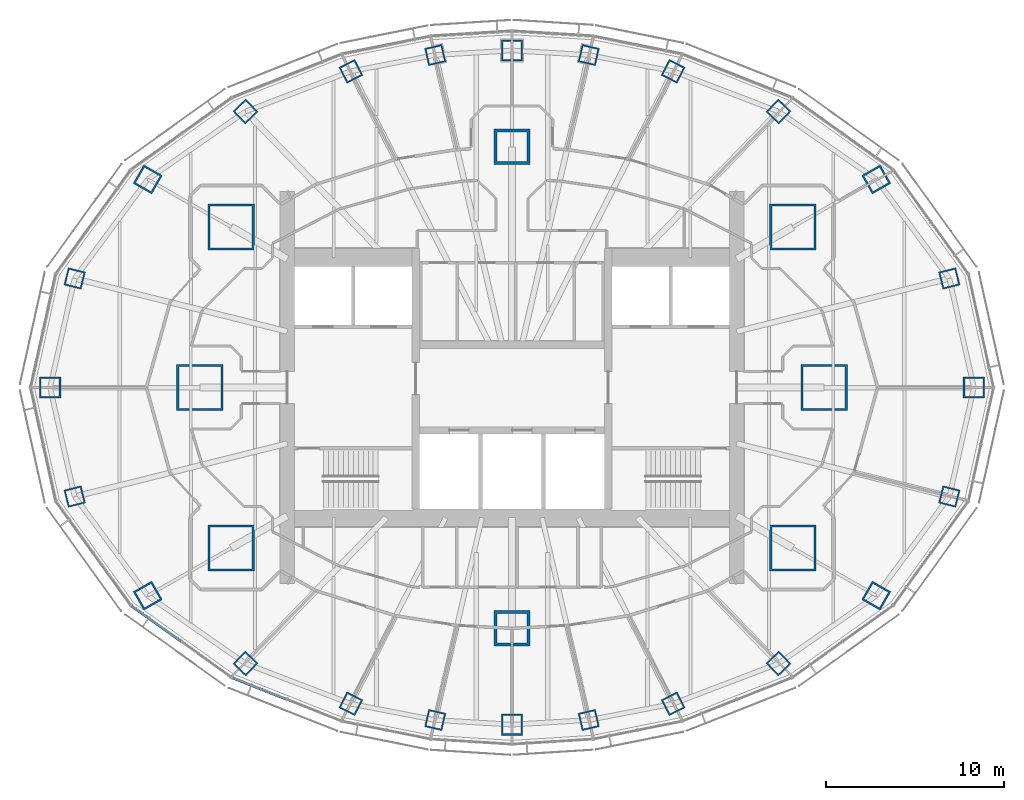
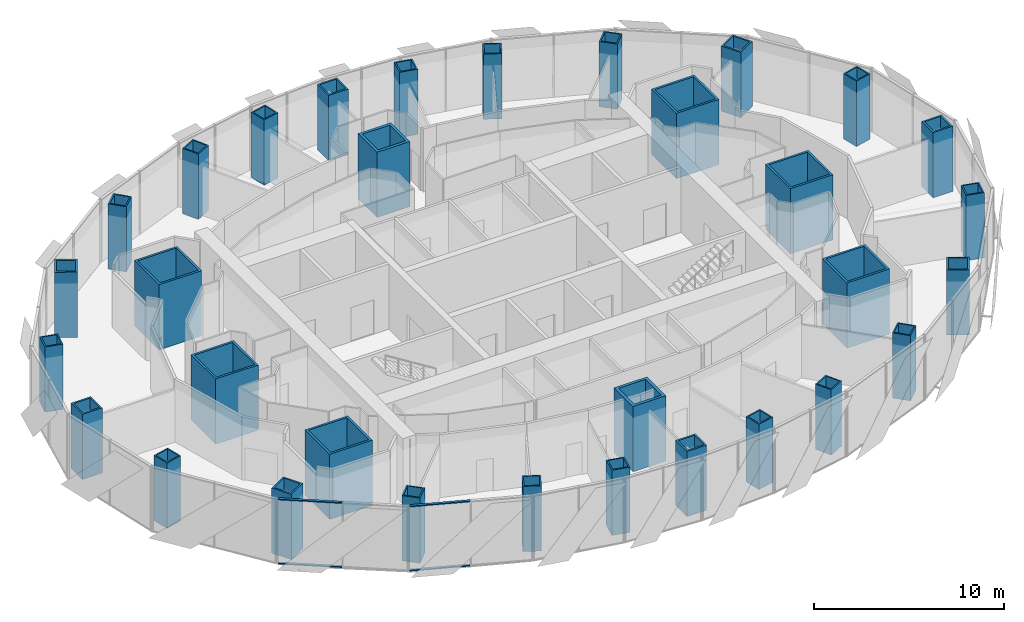
# One storey, part 1 of 18: 32 columns, 4 members, 2 elements without a shape of their own.
"""IFC4 building model written with IfcOpenShell, lengths in metres."""

import ifcopenshell
import ifcopenshell.guid

model = None  # the IFC model being written
_history = None  # IfcOwnerHistory: only IFC2X3 demands one
_inside = {}  # id of a spatial element -> (the spatial element, [elements in it])
_under = {}  # id of a project, library or spatial element -> (it, [spatial elements below it])
_declared = {}  # id of a project -> (the project, [libraries it declares])
_typed = {}  # id of a type object -> (the type object, [elements of that type])
_made_of = {}  # id of a material, layer set ... -> (it, [elements and type objects made of it])


def new_model(schema):
    """Start an empty IFC model of exactly this schema.

    Asked for "IFC4X3", IfcOpenShell would pick the latest addendum, in which some entities
    have other attributes; the version numbers below select the first issue.
    IFC2X3 requires an IfcOwnerHistory on every rooted entity: one is made here for all.
    """
    global model, _history
    if schema == "IFC4X3":
        model = ifcopenshell.file(schema_version=(4, 3, 0, 0))
    else:
        model = ifcopenshell.file(schema=schema)
    _inside.clear()
    _under.clear()
    _declared.clear()
    _typed.clear()
    _made_of.clear()
    _history = None
    if model.schema == "IFC2X3":
        org = make("IfcOrganization", Name="unknown")
        user = make(
            "IfcPersonAndOrganization",
            ThePerson=make("IfcPerson", FamilyName="unknown"),
            TheOrganization=org,
        )
        app = make(
            "IfcApplication",
            ApplicationDeveloper=org,
            Version="unknown",
            ApplicationFullName="unknown",
            ApplicationIdentifier="unknown",
        )
        _history = make(
            "IfcOwnerHistory",
            OwningUser=user,
            OwningApplication=app,
            ChangeAction="ADDED",
            CreationDate=0,
        )
    return model


def make(cls, **values):
    """One entity of the class cls with the attributes given. An attribute that is None is left unset."""
    return model.create_entity(
        cls, **{name: value for name, value in values.items() if value is not None}
    )


def rooted(cls, **values):
    """An entity with a GlobalId (a new one), such as an element, a storey or a relation."""
    return make(cls, GlobalId=ifcopenshell.guid.new(), OwnerHistory=_history, **values)


def si_unit(unit_type, name, prefix=None):
    """IfcSIUnit, for example si_unit("LENGTHUNIT", "METRE", prefix="MILLI")."""
    return make("IfcSIUnit", UnitType=unit_type, Prefix=prefix, Name=name)


def assignment(units):
    """IfcUnitAssignment: the units of a project."""
    return None if units is None else make("IfcUnitAssignment", Units=units)


def point(xyz):
    """IfcCartesianPoint."""
    return None if xyz is None else make("IfcCartesianPoint", Coordinates=xyz)


def direction(xyz):
    """IfcDirection."""
    return None if xyz is None else make("IfcDirection", DirectionRatios=xyz)


def frame(location, z_axis=None, x_axis=None):
    """IfcAxis2Placement3D, a coordinate frame: its origin and axes. An axis left out is left unset."""
    return make(
        "IfcAxis2Placement3D",
        Location=point(location),
        Axis=direction(z_axis),
        RefDirection=direction(x_axis),
    )


def frame_2d(location, x_axis=None):
    """IfcAxis2Placement2D, a coordinate frame in the plane: its origin and x axis."""
    return make(
        "IfcAxis2Placement2D", Location=point(location), RefDirection=direction(x_axis)
    )


def origin():
    """The frame at (0, 0, 0) with its axes left unset."""
    return frame((0.0, 0.0, 0.0))


def origin_2d():
    """The frame at (0, 0) in the plane with its x axis left unset."""
    return frame_2d((0.0, 0.0))


def place(relative_to, where):
    """IfcLocalPlacement: puts the frame where relative to a parent placement (None: the world)."""
    return make(
        "IfcLocalPlacement", PlacementRelTo=relative_to, RelativePlacement=where
    )


def context(
    kind, dimensions, precision=None, world=None, true_north=None, identifier=None
):
    """IfcGeometricRepresentationContext, for example the 3D "Model" context."""
    return make(
        "IfcGeometricRepresentationContext",
        ContextIdentifier=identifier,
        ContextType=kind,
        CoordinateSpaceDimension=dimensions,
        Precision=precision,
        WorldCoordinateSystem=world,
        TrueNorth=true_north,
    )


def subcontext(parent, identifier, kind, view, scale=None):
    """IfcGeometricRepresentationSubContext, for example "Body" below "Model"."""
    return make(
        "IfcGeometricRepresentationSubContext",
        ContextIdentifier=identifier,
        ContextType=kind,
        ParentContext=parent,
        TargetScale=scale,
        TargetView=view,
    )


def project(units=None, contexts=None):
    """IfcProject with its units and contexts."""
    return rooted(
        "IfcProject",
        Name="project",
        RepresentationContexts=contexts,
        UnitsInContext=assignment(units),
    )


def spatial(cls, under=None, at=None, **own):
    """A site, building, storey or space (cls), placed at a placement, below another one or the project."""
    s = rooted(cls, ObjectPlacement=at, **own)
    if under is not None:
        _under.setdefault(under.id(), (under, []))[1].append(s)
    return s


def profile(cls, at=None, kind="AREA", **sizes):
    """A parametric profile (cls). Its sizes go by their IFC names, for example OverallWidth=200.0."""
    return make(cls, ProfileType=kind, Position=at, **sizes)


def rectangle(**sizes):
    """IfcRectangleProfileDef."""
    return profile("IfcRectangleProfileDef", **sizes)


def hollow_rectangle(**sizes):
    """IfcRectangleHollowProfileDef."""
    return profile("IfcRectangleHollowProfileDef", **sizes)


def extrude(swept, where, along, depth):
    """IfcExtrudedAreaSolid: the profile swept, set in the frame where, extruded along a direction by depth."""
    return make(
        "IfcExtrudedAreaSolid",
        SweptArea=swept,
        Position=where,
        ExtrudedDirection=direction(along),
        Depth=depth,
    )


def shape(context_of_items, identifier, shape_type, items):
    """IfcShapeRepresentation: the items that make up one representation, for example the "Body"."""
    return make(
        "IfcShapeRepresentation",
        ContextOfItems=context_of_items,
        RepresentationIdentifier=identifier,
        RepresentationType=shape_type,
        Items=items,
    )


def material(Name=None, Category=None):
    """IfcMaterial."""
    return make("IfcMaterial", Name=Name, Category=Category)


def material_profile(
    of_material, cross_section, Name=None, Category=None, Priority=None
):
    """IfcMaterialProfile: a cross section and its material."""
    return make(
        "IfcMaterialProfile",
        Name=Name,
        Material=of_material,
        Profile=cross_section,
        Priority=Priority,
        Category=Category,
    )


def profile_set(profiles, Name=None, composite=None):
    """IfcMaterialProfileSet."""
    return make(
        "IfcMaterialProfileSet",
        Name=Name,
        MaterialProfiles=profiles,
        CompositeProfile=composite,
    )


def made_of(thing, what):
    """Note that an element or type object is made of a material, layer set ...; save() writes the relation."""
    if what is not None:
        _made_of.setdefault(what.id(), (what, []))[1].append(thing)
    return thing


def type_object(cls, material=None, **own):
    """A type object (cls), such as IfcWallType, which elements share."""
    return made_of(rooted(cls, **own), material)


def element(
    cls,
    number,
    at=None,
    inside=None,
    cuts=None,
    type_object=None,
    material=None,
    context=None,
    identifier="Body",
    shape_type=None,
    held_by="IfcProductDefinitionShape",
    body=None,
    shapes=None,
    **own,
):
    """One element of the class cls, such as IfcWall. Its Tag is "e" and its number.

    at: its placement. inside: the storey or other place that contains it. cuts: it is an
    opening in that element (IfcRelVoidsElement). A single representation is given by context,
    identifier, shape_type and body (its items); several are given by shapes. held_by: the class
    of the entity that holds the representations. save() writes the other relations.
    """
    e = rooted(cls, Tag="e%d" % number, ObjectPlacement=at, **own)
    if body is not None:
        shapes = [shape(context, identifier, shape_type, body)]
    if shapes is not None:
        e.Representation = make(held_by, Representations=shapes)
    if inside is not None:
        _inside.setdefault(inside.id(), (inside, []))[1].append(e)
    if cuts is not None:
        rooted(
            "IfcRelVoidsElement", RelatingBuildingElement=cuts, RelatedOpeningElement=e
        )
    if type_object is not None:
        _typed.setdefault(type_object.id(), (type_object, []))[1].append(e)
    return made_of(e, material)


def aggregate(whole, parts):
    """IfcRelAggregates: a whole, such as a stair, and the parts it consists of."""
    return rooted("IfcRelAggregates", RelatingObject=whole, RelatedObjects=parts)


def save(model, path):
    """Write the relations noted so far, then the file.

    IfcRelAggregates (storeys below a building ...), IfcRelContainedInSpatialStructure (elements
    in a storey), IfcRelDefinesByType, IfcRelAssociatesMaterial and IfcRelDeclares: one each for
    every whole, place, type object, material and project.
    """
    for whole, parts in _under.values():
        aggregate(whole, parts)
    for where, things in _inside.values():
        rooted(
            "IfcRelContainedInSpatialStructure",
            RelatedElements=things,
            RelatingStructure=where,
        )
    for kind, things in _typed.values():
        rooted("IfcRelDefinesByType", RelatedObjects=things, RelatingType=kind)
    for what, things in _made_of.values():
        rooted("IfcRelAssociatesMaterial", RelatedObjects=things, RelatingMaterial=what)
    for by, libraries in _declared.values():
        rooted("IfcRelDeclares", RelatingContext=by, RelatedDefinitions=libraries)
    model.write(path)


model = new_model("IFC4")

# Units and contexts
model_context = context("Model", 3, precision=1e-05, world=origin(), true_north=direction((0.0, 1.0)))
body_context = subcontext(model_context, "Body", "Model", "MODEL_VIEW")
ifc_project = project(units=[si_unit("LENGTHUNIT", "METRE"), si_unit("AREAUNIT", "SQUARE_METRE"), si_unit("VOLUMEUNIT", "CUBIC_METRE"), si_unit("PLANEANGLEUNIT", "RADIAN"), si_unit("MASSUNIT", "GRAM", prefix="KILO")], contexts=[model_context])

# Site, building, storey
site_placement = place(None, origin())
site = spatial("IfcSite", under=ifc_project, at=site_placement, CompositionType="ELEMENT")
building_placement = place(site_placement, origin())
building = spatial("IfcBuilding", under=site, at=building_placement, Name="Lantaw Convention Tower", CompositionType="ELEMENT")
storey_placement = place(building_placement, frame((0.0, 0.0, 241.0)))
storey = spatial("IfcBuildingStorey", under=building, at=storey_placement, Name="L56", CompositionType="ELEMENT", Elevation=241.0)

# Columns
ifc_material_1 = material(Name="Steel EN 10025-3 S460N", Category="steel")
ifc_material_profile_1 = material_profile(ifc_material_1, hollow_rectangle(XDim=2.0, YDim=2.0, WallThickness=0.169921875, at=origin_2d()), Name="BOX2000X170")
ifc_material_2 = material(Name="Concrete C60/75", Category="concrete")
ifc_material_profile_2 = material_profile(ifc_material_2, rectangle(XDim=1.659912109375, YDim=1.659912109375, at=origin_2d()), Name="Concrete fill of BOX2000X170")
ifc_profile_set_1 = profile_set([ifc_material_profile_1, ifc_material_profile_2], Name="Steel EN 10025-3 S460N")
column_type_1 = type_object("IfcColumnType", Name="Column MC BOX2000X170", PredefinedType="COLUMN", material=ifc_profile_set_1)
for number, where, z_axis, x_axis, name in (
    (1, (0.0, 13.5, 0.0), (0.0, 0.0, 1.0), (1.0, 0.0, 0.0), "Mega column M3"),
    (2, (0.0, -13.5, 0.0), (0.0, 0.0, 1.0), (1.0, 0.0, 0.0), "Mega column M7"),
):
    element("IfcColumn", number, at=place(storey_placement, frame(where, z_axis=z_axis, x_axis=x_axis)), inside=storey, type_object=column_type_1, Name=name, PredefinedType="COLUMN", context=body_context, shape_type="SweptSolid", body=[
        extrude(hollow_rectangle(XDim=2.0, YDim=2.0, WallThickness=0.169921875, at=origin_2d()), origin(), (0.0, 0.0, 1.0), 4.199951171875),
    ])
ifc_material_profile_3 = material_profile(ifc_material_1, hollow_rectangle(XDim=2.60009765625, YDim=2.60009765625, WallThickness=0.1298828125, at=origin_2d()), Name="BOX2600X130")
ifc_material_profile_4 = material_profile(ifc_material_2, rectangle(XDim=2.340087890625, YDim=2.340087890625, at=origin_2d()), Name="Concrete fill of BOX2600X130")
ifc_profile_set_2 = profile_set([ifc_material_profile_3, ifc_material_profile_4], Name="Steel EN 10025-3 S460N")
column_type_2 = type_object("IfcColumnType", Name="Column MC BOX2600X130", PredefinedType="COLUMN", material=ifc_profile_set_2)
for number, where, z_axis, x_axis, name in (
    (3, (17.5, 0.0, 0.0), (0.0, 0.0, 1.0), (1.0, 0.0, 0.0), "Mega column M1"),
    (4, (15.75, 9.0, 0.0), (0.0, 0.0, 1.0), (1.0, 0.0, 0.0), "Mega column M2"),
    (5, (-15.75, 9.0, 0.0), (0.0, 0.0, 1.0), (1.0, 0.0, 0.0), "Mega column M4"),
    (6, (-17.5, 0.0, 0.0), (0.0, 0.0, 1.0), (1.0, 0.0, 0.0), "Mega column M5"),
    (7, (-15.75, -9.0, 0.0), (0.0, 0.0, 1.0), (1.0, 0.0, 0.0), "Mega column M6"),
    (8, (15.75, -9.0, 0.0), (0.0, 0.0, 1.0), (1.0, 0.0, 0.0), "Mega column M8"),
):
    element("IfcColumn", number, at=place(storey_placement, frame(where, z_axis=z_axis, x_axis=x_axis)), inside=storey, type_object=column_type_2, Name=name, PredefinedType="COLUMN", context=body_context, shape_type="SweptSolid", body=[
        extrude(hollow_rectangle(XDim=2.60009765625, YDim=2.60009765625, WallThickness=0.1298828125, at=origin_2d()), origin(), (0.0, 0.0, 1.0), 4.199951171875),
    ])
ifc_material_3 = material(Name="Steel ASTM A572 Grade 50", Category="steel")
ifc_material_profile_5 = material_profile(ifc_material_3, hollow_rectangle(XDim=1.0, YDim=1.0, WallThickness=0.080078125, at=origin_2d()), Name="BOX1000X80")
ifc_material_profile_6 = material_profile(ifc_material_2, rectangle(XDim=0.840087890625, YDim=0.840087890625, at=origin_2d()), Name="Concrete fill of BOX1000X80")
ifc_profile_set_3 = profile_set([ifc_material_profile_5, ifc_material_profile_6], Name="Steel ASTM A572 Grade 50")
column_type_3 = type_object("IfcColumnType", Name="Column PC BOX1000X80", PredefinedType="COLUMN", material=ifc_profile_set_3)
for number, where, z_axis, x_axis, name in (
    (9, (24.52197265625, 6.114013671875, 0.0), (0.0, 0.0, 1.0), (0.970295726276, 0.2419218956, 0.0), "Perimeter column P2"),
    (10, (14.9443359375, 15.475341796875, 0.0), (0.0, 0.0, 1.0), (0.694658370459, 0.719339800339, 0.0), "Perimeter column P4"),
    (11, (9.03466796875, 17.7314453125, 0.0), (0.0, 0.0, 1.0), (0.45399049974, 0.891006524188, 0.0), "Perimeter column P5"),
    (12, (4.303955078125, 18.64208984375, 0.0), (0.0, 0.0, 1.0), (0.224951054344, 0.974370064785, 0.0), "Perimeter column P6"),
    (13, (-4.303955078125, 18.64208984375, 0.0), (0.0, 0.0, 1.0), (0.974370064785, 0.224951054344, 0.0), "Perimeter column P8"),
    (14, (-9.03466796875, 17.7314453125, 0.0), (0.0, 0.0, 1.0), (0.891006524188, 0.45399049974, 0.0), "Perimeter column P9"),
    (15, (-14.9443359375, 15.475341796875, 0.0), (0.0, 0.0, 1.0), (0.719339800339, 0.694658370459, 0.0), "Perimeter column P10"),
    (16, (-24.52197265625, 6.114013671875, 0.0), (0.0, 0.0, 1.0), (0.2419218956, 0.970295726276, 0.0), "Perimeter column P12"),
    (17, (-24.52197265625, -6.114013671875, 0.0), (0.0, 0.0, 1.0), (0.970295726276, 0.2419218956, 0.0), "Perimeter column P14"),
    (18, (-14.9443359375, -15.475341796875, 0.0), (0.0, 0.0, 1.0), (0.694658370459, 0.719339800339, 0.0), "Perimeter column P16"),
    (19, (-9.03466796875, -17.7314453125, 0.0), (0.0, 0.0, 1.0), (0.45399049974, 0.891006524188, 0.0), "Perimeter column P17"),
    (20, (-4.303955078125, -18.64208984375, 0.0), (0.0, 0.0, 1.0), (0.224951054344, 0.974370064785, 0.0), "Perimeter column P18"),
    (21, (4.303955078125, -18.64208984375, 0.0), (0.0, 0.0, 1.0), (0.974370064785, 0.224951054344, 0.0), "Perimeter column P20"),
    (22, (9.03466796875, -17.7314453125, 0.0), (0.0, 0.0, 1.0), (0.891006524188, 0.45399049974, 0.0), "Perimeter column P21"),
    (23, (14.9443359375, -15.475341796875, 0.0), (0.0, 0.0, 1.0), (0.719339800339, 0.694658370459, 0.0), "Perimeter column P22"),
    (24, (24.52197265625, -6.114013671875, 0.0), (0.0, 0.0, 1.0), (0.2419218956, 0.970295726276, 0.0), "Perimeter column P24"),
):
    element("IfcColumn", number, at=place(storey_placement, frame(where, z_axis=z_axis, x_axis=x_axis)), inside=storey, type_object=column_type_3, Name=name, PredefinedType="COLUMN", context=body_context, shape_type="SweptSolid", body=[
        extrude(hollow_rectangle(XDim=1.0, YDim=1.0, WallThickness=0.080078125, at=origin_2d()), origin(), (0.0, 0.0, 1.0), 4.199951171875),
    ])
ifc_material_profile_7 = material_profile(ifc_material_1, hollow_rectangle(XDim=1.199951171875, YDim=1.199951171875, WallThickness=0.10009765625, at=origin_2d()), Name="BOX1200X100")
ifc_material_profile_8 = material_profile(ifc_material_2, rectangle(XDim=1.0, YDim=1.0, at=origin_2d()), Name="Concrete fill of BOX1200X100")
ifc_profile_set_4 = profile_set([ifc_material_profile_7, ifc_material_profile_8], Name="Steel EN 10025-3 S460N")
column_type_4 = type_object("IfcColumnType", Name="Column PC BOX1200X100", PredefinedType="COLUMN", material=ifc_profile_set_4)
for number, where, z_axis, x_axis, name in (
    (25, (25.89990234375, 0.0, 0.0), (0.0, 0.0, 1.0), (1.0, 0.0, 0.0), "Perimeter column P1"),
    (26, (20.423095703125, 11.67041015625, 0.0), (0.0, 0.0, 1.0), (0.86824298017, 0.496139221777, 0.0), "Perimeter column P3"),
    (27, (0.0, 18.89990234375, 0.0), (0.0, 0.0, 1.0), (1.0, 0.0, 0.0), "Perimeter column P7"),
    (28, (-20.423095703125, 11.67041015625, 0.0), (0.0, 0.0, 1.0), (0.496139221777, 0.86824298017, 0.0), "Perimeter column P11"),
    (29, (-25.89990234375, 0.0, 0.0), (0.0, 0.0, 1.0), (1.0, 0.0, 0.0), "Perimeter column P13"),
    (30, (-20.423095703125, -11.67041015625, 0.0), (0.0, 0.0, 1.0), (0.86824298017, 0.496139221777, 0.0), "Perimeter column P15"),
    (31, (0.0, -18.89990234375, 0.0), (0.0, 0.0, 1.0), (1.0, 0.0, 0.0), "Perimeter column P19"),
    (32, (20.423095703125, -11.67041015625, 0.0), (0.0, 0.0, 1.0), (0.496139221777, 0.86824298017, 0.0), "Perimeter column P23"),
):
    element("IfcColumn", number, at=place(storey_placement, frame(where, z_axis=z_axis, x_axis=x_axis)), inside=storey, type_object=column_type_4, Name=name, PredefinedType="COLUMN", context=body_context, shape_type="SweptSolid", body=[
        extrude(hollow_rectangle(XDim=1.199951171875, YDim=1.199951171875, WallThickness=0.10009765625, at=origin_2d()), origin(), (0.0, 0.0, 1.0), 4.199951171875),
    ])

# Curtain wall, members
ifc_material_4 = material(Name="Aluminium framed curtain wall", Category="aluminium")
curtain_wall_type = type_object("IfcCurtainWallType", Name="Office curtain wall high rise, pale aluminium", PredefinedType="USERDEFINED", material=ifc_material_4)
curtain_wall_1_placement = place(storey_placement, origin())
curtain_wall_1 = element("IfcCurtainWall", 33, at=curtain_wall_1_placement, inside=storey, type_object=curtain_wall_type, Name="Office curtain wall high rise, pale aluminium L56", ObjectType="UNITISED CURTAIN WALL", PredefinedType="USERDEFINED")
ifc_material_5 = material(Name="Aluminium 6063-T6", Category="aluminium")
ifc_material_profile_9 = material_profile(ifc_material_5, rectangle(XDim=0.14990234375, YDim=0.06494140625, at=origin_2d()), Name="CW-O2 transom 65x150")
ifc_profile_set_5 = profile_set([ifc_material_profile_9], Name="Aluminium 6063-T6")
member_type = type_object("IfcMemberType", Name="CW-O2 transom 65x150", PredefinedType="USERDEFINED", material=ifc_profile_set_5)
member_1_placement = place(storey_placement, frame((-21.3251953125, -12.25390625, -0.117431640625), z_axis=(0.813679882592, -0.581313210468, 0.0), x_axis=(0.581313210468, 0.813679882592, 0.0)))
member_1 = element("IfcMember", 34, at=member_1_placement, type_object=member_type, Name="CW-O2 transom 1.1", ObjectType="TRANSOM", PredefinedType="USERDEFINED", context=body_context, shape_type="SweptSolid", body=[
    extrude(rectangle(XDim=0.14990234375, YDim=0.06494140625, at=origin_2d()), origin(), (0.0, 0.0, 1.0), 3.38623046875),
])
member_2_placement = place(storey_placement, frame((-21.3251953125, -12.25390625, 4.017578125), z_axis=(0.813679882592, -0.581313210468, 0.0), x_axis=(0.581313210468, 0.813679882592, 0.0)))
member_2 = element("IfcMember", 35, at=member_2_placement, type_object=member_type, Name="CW-O2 transom 1.2", ObjectType="TRANSOM", PredefinedType="USERDEFINED", context=body_context, shape_type="SweptSolid", body=[
    extrude(rectangle(XDim=0.14990234375, YDim=0.06494140625, at=origin_2d()), origin(), (0.0, 0.0, 1.0), 3.38623046875),
])
aggregate(curtain_wall_1, [member_1, member_2])

curtain_wall_2_placement = place(storey_placement, origin())
curtain_wall_2 = element("IfcCurtainWall", 36, at=curtain_wall_2_placement, inside=storey, type_object=curtain_wall_type, Name="Office curtain wall high rise, pale aluminium L56", ObjectType="UNITISED CURTAIN WALL", PredefinedType="USERDEFINED")
member_3_placement = place(storey_placement, frame((-15.648193359375, -16.29052734375, -0.117431640625), z_axis=(0.929740712354, -0.368214893495, 0.0), x_axis=(0.368214893495, 0.929740712354, 0.0)))
member_3 = element("IfcMember", 37, at=member_3_placement, type_object=member_type, Name="CW-O2 transom 1.1", ObjectType="TRANSOM", PredefinedType="USERDEFINED", context=body_context, shape_type="SweptSolid", body=[
    extrude(rectangle(XDim=0.14990234375, YDim=0.06494140625, at=origin_2d()), origin(), (0.0, 0.0, 1.0), 3.22314453125),
])
member_4_placement = place(storey_placement, frame((-15.648193359375, -16.29052734375, 4.017578125), z_axis=(0.929740712354, -0.368214893495, 0.0), x_axis=(0.368214893495, 0.929740712354, 0.0)))
member_4 = element("IfcMember", 38, at=member_4_placement, type_object=member_type, Name="CW-O2 transom 1.2", ObjectType="TRANSOM", PredefinedType="USERDEFINED", context=body_context, shape_type="SweptSolid", body=[
    extrude(rectangle(XDim=0.14990234375, YDim=0.06494140625, at=origin_2d()), origin(), (0.0, 0.0, 1.0), 3.22314453125),
])
aggregate(curtain_wall_2, [member_3, member_4])

save(model, "model.ifc")
